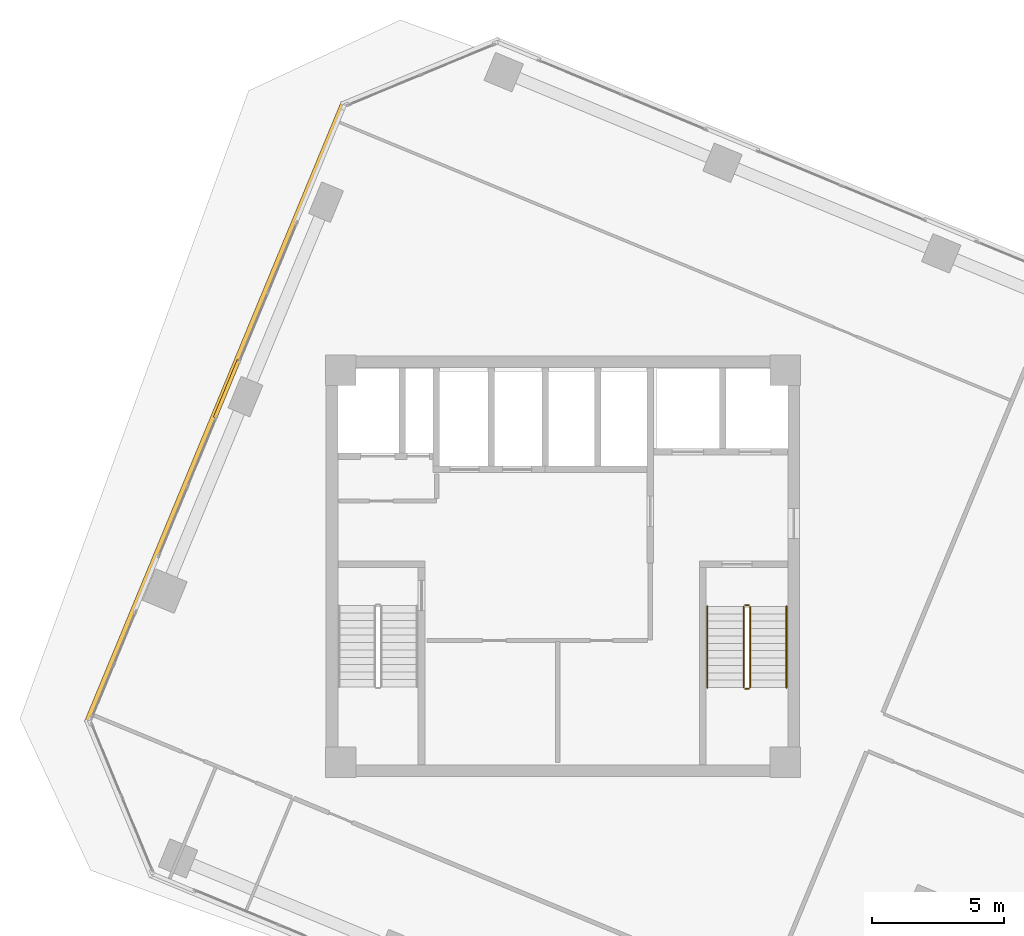
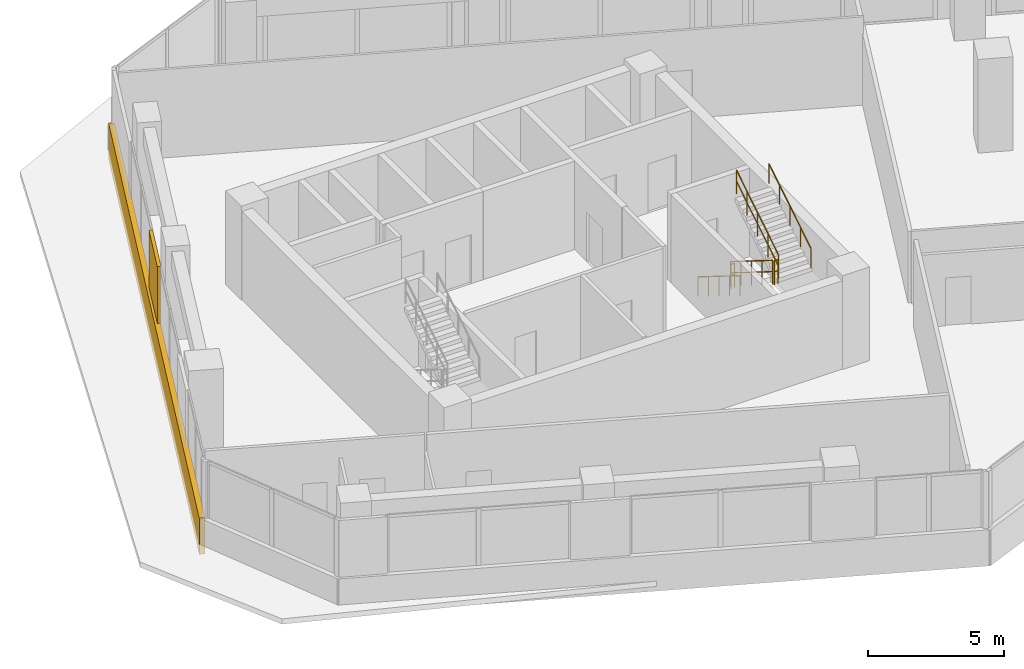
# One storey, part 22 of 24: 6 railings, 2 coverings.
"""IFC4 building model written with IfcOpenShell, lengths in metres."""

from ifc_helpers import new_model, si_unit, direction, frame, origin, origin_2d, place, context, subcontext, project, spatial, rectangle, circle, extrude, source, transform, mapped, material, layer, layer_set, type_object, element, save


model = new_model("IFC4")

# Units and contexts
model_context = context("Model", 3, precision=1e-05, world=origin(), true_north=direction((0.0, 1.0)))
body_context = subcontext(model_context, "Body", "Model", "MODEL_VIEW")
ifc_project = project(units=[si_unit("LENGTHUNIT", "METRE"), si_unit("AREAUNIT", "SQUARE_METRE"), si_unit("VOLUMEUNIT", "CUBIC_METRE"), si_unit("PLANEANGLEUNIT", "RADIAN"), si_unit("MASSUNIT", "GRAM", prefix="KILO")], contexts=[model_context])

# Site, building, storey
site_placement = place(None, origin())
site = spatial("IfcSite", under=ifc_project, at=site_placement, CompositionType="ELEMENT")
building_placement = place(site_placement, origin())
building = spatial("IfcBuilding", under=site, at=building_placement, Name="Torre Montelarca", CompositionType="ELEMENT")
storey_placement = place(building_placement, frame((0.0, 0.0, 141.39990234375)))
storey = spatial("IfcBuildingStorey", under=building, at=storey_placement, Name="L31", CompositionType="ELEMENT", Elevation=141.39990234375)

# Railings
ifc_material_1 = material(Name="Powder-coated steel ASTM A500 Grade C", Category="steel")
railing_type_1 = type_object("IfcRailingType", Name="RL-GUARD-1100", PredefinedType="BALUSTRADE", material=ifc_material_1)
railing_1_placement = place(storey_placement, frame((24.8701171875, 30.469970703125, 0.175048828125)))
element("IfcRailing", 1, at=railing_1_placement, inside=storey, type_object=railing_type_1, Name="L31 ST2 stair guard 1", PredefinedType="BALUSTRADE", context=body_context, shape_type="SweptSolid", body=[
    extrude(circle(Radius=0.02392578125, at=origin_2d()), frame((0.0, 0.0, 1.076171875), z_axis=(0.0, -0.847998304005, 0.529998940003), x_axis=(1.0, 0.0, 0.0)), (0.0, 0.0, 1.0), 3.632080078125),
    extrude(circle(Radius=0.02099609375, at=origin_2d()), frame((0.0, 0.0, 0.572021484375), z_axis=(0.0, -0.847998304005, 0.529998940003), x_axis=(1.0, 0.0, 0.0)), (0.0, 0.0, 1.0), 3.632080078125),
    extrude(circle(Radius=0.02099609375, at=origin_2d()), origin(), (0.0, 0.0, 1.0), 1.052001953125),
    extrude(circle(Radius=0.02099609375, at=origin_2d()), frame((0.0, -0.77001953125, 0.481201171875)), (0.0, 0.0, 1.0), 1.052001953125),
    extrude(circle(Radius=0.02099609375, at=origin_2d()), frame((0.0, -1.5400390625, 0.96240234375)), (0.0, 0.0, 1.0), 1.052001953125),
    extrude(circle(Radius=0.02099609375, at=origin_2d()), frame((0.0, -2.31005859375, 1.44384765625)), (0.0, 0.0, 1.0), 1.052001953125),
    extrude(circle(Radius=0.02099609375, at=origin_2d()), frame((0.0, -3.080078125, 1.925048828125)), (0.0, 0.0, 1.0), 1.052001953125),
])
railing_2_placement = place(storey_placement, frame((24.919921875, 27.340087890625, 2.10009765625)))
element("IfcRailing", 2, at=railing_2_placement, inside=storey, type_object=railing_type_1, Name="L31 ST2 stair guard 2", PredefinedType="BALUSTRADE", context=body_context, shape_type="SweptSolid", body=[
    extrude(circle(Radius=0.02392578125, at=origin_2d()), frame((0.0, 0.0, 1.076171875), z_axis=(1.0, 0.0, 0.0), x_axis=(0.0, 1.0, 0.0)), (0.0, 0.0, 1.0), 0.150146484375),
    extrude(circle(Radius=0.02099609375, at=origin_2d()), frame((0.0, 0.0, 0.572021484375), z_axis=(1.0, 0.0, 0.0), x_axis=(0.0, 1.0, 0.0)), (0.0, 0.0, 1.0), 0.150146484375),
    extrude(circle(Radius=0.02099609375, at=origin_2d()), origin(), (0.0, 0.0, 1.0), 1.052001953125),
    extrude(circle(Radius=0.02099609375, at=origin_2d()), frame((0.150146484375, 0.0, 0.0)), (0.0, 0.0, 1.0), 1.052001953125),
])
railing_3_placement = place(storey_placement, frame((25.1201171875, 27.389892578125, 2.275146484375)))
element("IfcRailing", 3, at=railing_3_placement, inside=storey, type_object=railing_type_1, Name="L31 ST2 stair guard 3", PredefinedType="BALUSTRADE", context=body_context, shape_type="SweptSolid", body=[
    extrude(circle(Radius=0.02392578125, at=origin_2d()), frame((0.0, 0.0, 1.076171875), z_axis=(0.0, 0.847998304005, 0.529998940003), x_axis=(-1.0, 0.0, 0.0)), (0.0, 0.0, 1.0), 3.632080078125),
    extrude(circle(Radius=0.02099609375, at=origin_2d()), frame((0.0, 0.0, 0.572021484375), z_axis=(0.0, 0.847998304005, 0.529998940003), x_axis=(-1.0, 0.0, 0.0)), (0.0, 0.0, 1.0), 3.632080078125),
    extrude(circle(Radius=0.02099609375, at=origin_2d()), origin(), (0.0, 0.0, 1.0), 1.052001953125),
    extrude(circle(Radius=0.02099609375, at=origin_2d()), frame((0.0, 0.77001953125, 0.481201171875)), (0.0, 0.0, 1.0), 1.052001953125),
    extrude(circle(Radius=0.02099609375, at=origin_2d()), frame((0.0, 1.5400390625, 0.96240234375)), (0.0, 0.0, 1.0), 1.052001953125),
    extrude(circle(Radius=0.02099609375, at=origin_2d()), frame((0.0, 2.31005859375, 1.44384765625)), (0.0, 0.0, 1.0), 1.052001953125),
    extrude(circle(Radius=0.02099609375, at=origin_2d()), frame((0.0, 3.080078125, 1.925048828125)), (0.0, 0.0, 1.0), 1.052001953125),
])
railing_4_placement = place(storey_placement, frame((24.919921875, 30.52001953125, 0.0)))
element("IfcRailing", 4, at=railing_4_placement, inside=storey, type_object=railing_type_1, Name="L31 ST2 stair guard 4", PredefinedType="BALUSTRADE", context=body_context, shape_type="SweptSolid", body=[
    extrude(circle(Radius=0.02392578125, at=origin_2d()), frame((0.0, 0.0, 1.076171875), z_axis=(1.0, 0.0, 0.0), x_axis=(0.0, 1.0, 0.0)), (0.0, 0.0, 1.0), 0.150146484375),
    extrude(circle(Radius=0.02099609375, at=origin_2d()), frame((0.0, 0.0, 0.572021484375), z_axis=(1.0, 0.0, 0.0), x_axis=(0.0, 1.0, 0.0)), (0.0, 0.0, 1.0), 0.150146484375),
    extrude(circle(Radius=0.02099609375, at=origin_2d()), origin(), (0.0, 0.0, 1.0), 1.052001953125),
    extrude(circle(Radius=0.02099609375, at=origin_2d()), frame((0.150146484375, 0.0, 0.0)), (0.0, 0.0, 1.0), 1.052001953125),
])
ifc_material_2 = material(Name="Brushed stainless steel AISI 316", Category="steel")
railing_type_2 = type_object("IfcRailingType", Name="RL-HANDRAIL-900", PredefinedType="HANDRAIL", material=ifc_material_2)
railing_5_placement = place(storey_placement, frame((23.489990234375, 30.469970703125, 0.175048828125)))
element("IfcRailing", 5, at=railing_5_placement, inside=storey, type_object=railing_type_2, Name="L31 ST2 stair handrail 1", PredefinedType="HANDRAIL", context=body_context, shape_type="SweptSolid", body=[
    extrude(circle(Radius=0.02392578125, at=origin_2d()), frame((0.0, 0.0, 0.8759765625), z_axis=(0.0, -0.847998304005, 0.529998940003), x_axis=(1.0, 0.0, 0.0)), (0.0, 0.0, 1.0), 3.632080078125),
    extrude(circle(Radius=0.02099609375, at=origin_2d()), origin(), (0.0, 0.0, 1.0), 0.851806640625),
    extrude(circle(Radius=0.02099609375, at=origin_2d()), frame((0.0, -0.77001953125, 0.481201171875)), (0.0, 0.0, 1.0), 0.851806640625),
    extrude(circle(Radius=0.02099609375, at=origin_2d()), frame((0.0, -1.5400390625, 0.96240234375)), (0.0, 0.0, 1.0), 0.851806640625),
    extrude(circle(Radius=0.02099609375, at=origin_2d()), frame((0.0, -2.31005859375, 1.44384765625)), (0.0, 0.0, 1.0), 0.851806640625),
    extrude(circle(Radius=0.02099609375, at=origin_2d()), frame((0.0, -3.080078125, 1.925048828125)), (0.0, 0.0, 1.0), 0.851806640625),
])
railing_6_placement = place(storey_placement, frame((26.5, 27.389892578125, 2.275146484375)))
element("IfcRailing", 6, at=railing_6_placement, inside=storey, type_object=railing_type_2, Name="L31 ST2 stair handrail 2", PredefinedType="HANDRAIL", context=body_context, shape_type="SweptSolid", body=[
    extrude(circle(Radius=0.02392578125, at=origin_2d()), frame((0.0, 0.0, 0.8759765625), z_axis=(0.0, 0.847998304005, 0.529998940003), x_axis=(-1.0, 0.0, 0.0)), (0.0, 0.0, 1.0), 3.632080078125),
    extrude(circle(Radius=0.02099609375, at=origin_2d()), origin(), (0.0, 0.0, 1.0), 0.851806640625),
    extrude(circle(Radius=0.02099609375, at=origin_2d()), frame((0.0, 0.77001953125, 0.481201171875)), (0.0, 0.0, 1.0), 0.851806640625),
    extrude(circle(Radius=0.02099609375, at=origin_2d()), frame((0.0, 1.5400390625, 0.96240234375)), (0.0, 0.0, 1.0), 0.851806640625),
    extrude(circle(Radius=0.02099609375, at=origin_2d()), frame((0.0, 2.31005859375, 1.44384765625)), (0.0, 0.0, 1.0), 0.851806640625),
    extrude(circle(Radius=0.02099609375, at=origin_2d()), frame((0.0, 3.080078125, 1.925048828125)), (0.0, 0.0, 1.0), 0.851806640625),
])

# Coverings
ifc_material_3 = material(Name="Bush-hammered warm white precast concrete C45/55", Category="concrete")
ifc_layer = layer(ifc_material_3, 0.139892578125, Name="Bush-hammered warm white precast concrete C45/55", Category="concrete")
ifc_layer_set = layer_set([ifc_layer], Name="Bush-hammered warm white precast concrete C45/55")
covering_type = type_object("IfcCoveringType", Name="COV-TRAY-CLAD", PredefinedType="CLADDING", material=ifc_layer_set)
shared_shape_1 = source(origin(), body_context, "Body", "SweptSolid", [
    extrude(rectangle(XDim=25.52001953125, YDim=0.219970703125, at=origin_2d()), origin(), (0.0, 0.0, 1.0), 1.6201171875),
])
covering_1_placement = place(storey_placement, frame((4.79248046875, 37.838134765625, -0.449951171875), z_axis=(0.0, 0.0, 1.0), x_axis=(-0.382680207415, -0.923880868323, 0.0)))
element("IfcCovering", 7, at=covering_1_placement, inside=storey, type_object=covering_type, Name="L31 Architectural White Spandrel Tray Band TRYBOT-10", PredefinedType="CLADDING", context=body_context, shape_type="MappedRepresentation", body=[
    mapped(shared_shape_1, transform((0.0, 0.0, 0.0), scale=1.0)),
])
shared_shape_2 = source(origin(), body_context, "Body", "SweptSolid", [
    extrude(rectangle(XDim=2.360107421875, YDim=0.139892578125, at=origin_2d()), origin(), (0.0, 0.0, 1.0), 3.719970703125),
])
covering_2_placement = place(storey_placement, frame((5.23046875, 38.739013671875, 0.0), z_axis=(0.0, 0.0, 1.0), x_axis=(-0.382680207415, -0.923880868323, 0.0)))
element("IfcCovering", 8, at=covering_2_placement, inside=storey, type_object=covering_type, Name="L31 Architectural Column Pier Cladding E10-3", PredefinedType="CLADDING", context=body_context, shape_type="MappedRepresentation", body=[
    mapped(shared_shape_2, transform((0.0, 0.0, 0.0), scale=1.0)),
])

save(model, "model.ifc")
